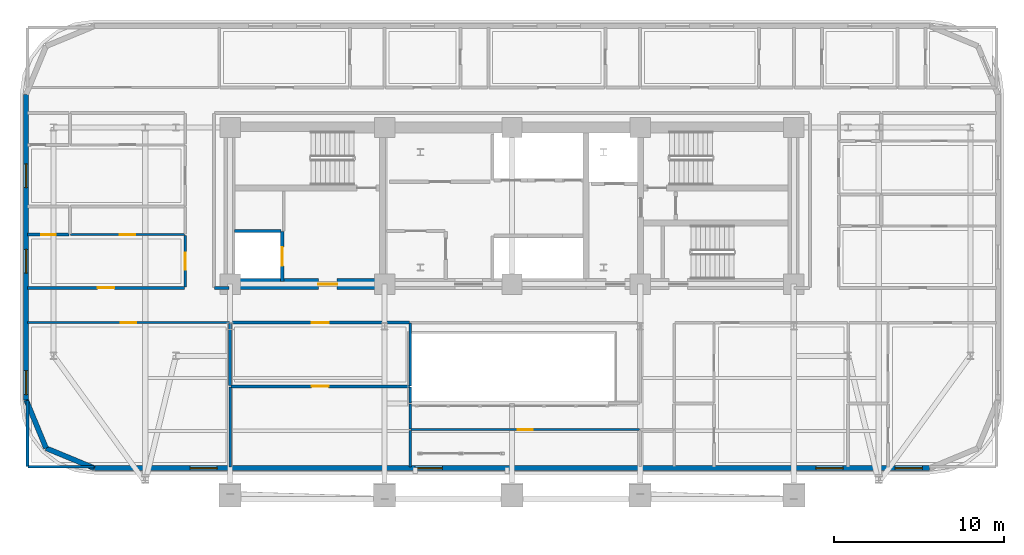
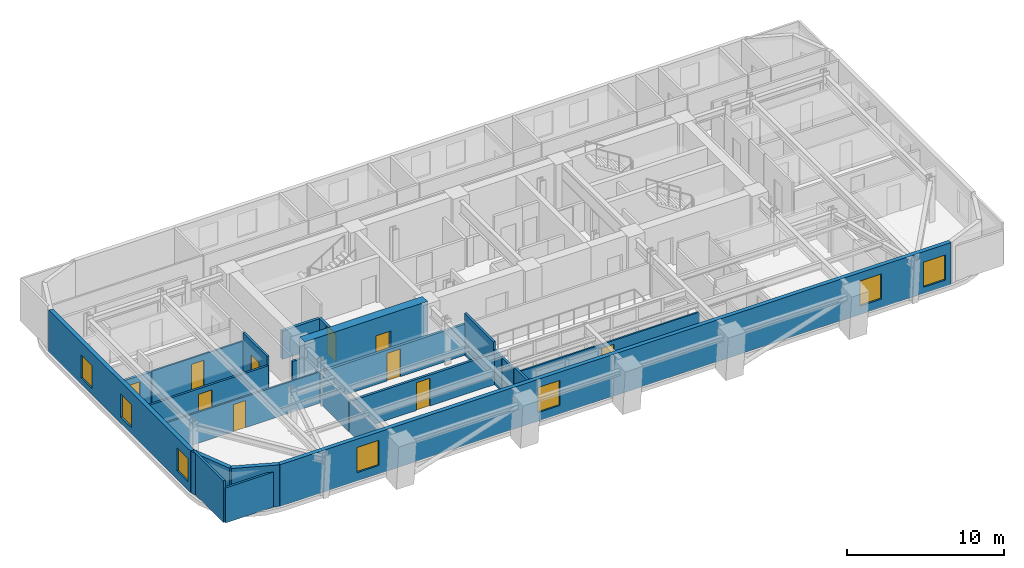
# One storey, part 8 of 16: 24 walls, 10 doors, 7 windows, 17 openings.
"""IFC4 building model written with IfcOpenShell, lengths in metres."""

import ifcopenshell
import ifcopenshell.guid

model = None  # the IFC model being written
_history = None  # IfcOwnerHistory: only IFC2X3 demands one
_inside = {}  # id of a spatial element -> (the spatial element, [elements in it])
_under = {}  # id of a project, library or spatial element -> (it, [spatial elements below it])
_declared = {}  # id of a project -> (the project, [libraries it declares])
_typed = {}  # id of a type object -> (the type object, [elements of that type])
_made_of = {}  # id of a material, layer set ... -> (it, [elements and type objects made of it])


def new_model(schema):
    """Start an empty IFC model of exactly this schema.

    Asked for "IFC4X3", IfcOpenShell would pick the latest addendum, in which some entities
    have other attributes; the version numbers below select the first issue.
    IFC2X3 requires an IfcOwnerHistory on every rooted entity: one is made here for all.
    """
    global model, _history
    if schema == "IFC4X3":
        model = ifcopenshell.file(schema_version=(4, 3, 0, 0))
    else:
        model = ifcopenshell.file(schema=schema)
    _inside.clear()
    _under.clear()
    _declared.clear()
    _typed.clear()
    _made_of.clear()
    _history = None
    if model.schema == "IFC2X3":
        org = make("IfcOrganization", Name="unknown")
        user = make(
            "IfcPersonAndOrganization",
            ThePerson=make("IfcPerson", FamilyName="unknown"),
            TheOrganization=org,
        )
        app = make(
            "IfcApplication",
            ApplicationDeveloper=org,
            Version="unknown",
            ApplicationFullName="unknown",
            ApplicationIdentifier="unknown",
        )
        _history = make(
            "IfcOwnerHistory",
            OwningUser=user,
            OwningApplication=app,
            ChangeAction="ADDED",
            CreationDate=0,
        )
    return model


def make(cls, **values):
    """One entity of the class cls with the attributes given. An attribute that is None is left unset."""
    return model.create_entity(
        cls, **{name: value for name, value in values.items() if value is not None}
    )


def rooted(cls, **values):
    """An entity with a GlobalId (a new one), such as an element, a storey or a relation."""
    return make(cls, GlobalId=ifcopenshell.guid.new(), OwnerHistory=_history, **values)


def si_unit(unit_type, name, prefix=None):
    """IfcSIUnit, for example si_unit("LENGTHUNIT", "METRE", prefix="MILLI")."""
    return make("IfcSIUnit", UnitType=unit_type, Prefix=prefix, Name=name)


def assignment(units):
    """IfcUnitAssignment: the units of a project."""
    return None if units is None else make("IfcUnitAssignment", Units=units)


def point(xyz):
    """IfcCartesianPoint."""
    return None if xyz is None else make("IfcCartesianPoint", Coordinates=xyz)


def direction(xyz):
    """IfcDirection."""
    return None if xyz is None else make("IfcDirection", DirectionRatios=xyz)


def frame(location, z_axis=None, x_axis=None):
    """IfcAxis2Placement3D, a coordinate frame: its origin and axes. An axis left out is left unset."""
    return make(
        "IfcAxis2Placement3D",
        Location=point(location),
        Axis=direction(z_axis),
        RefDirection=direction(x_axis),
    )


def frame_2d(location, x_axis=None):
    """IfcAxis2Placement2D, a coordinate frame in the plane: its origin and x axis."""
    return make(
        "IfcAxis2Placement2D", Location=point(location), RefDirection=direction(x_axis)
    )


def origin():
    """The frame at (0, 0, 0) with its axes left unset."""
    return frame((0.0, 0.0, 0.0))


def place(relative_to, where):
    """IfcLocalPlacement: puts the frame where relative to a parent placement (None: the world)."""
    return make(
        "IfcLocalPlacement", PlacementRelTo=relative_to, RelativePlacement=where
    )


def context(
    kind, dimensions, precision=None, world=None, true_north=None, identifier=None
):
    """IfcGeometricRepresentationContext, for example the 3D "Model" context."""
    return make(
        "IfcGeometricRepresentationContext",
        ContextIdentifier=identifier,
        ContextType=kind,
        CoordinateSpaceDimension=dimensions,
        Precision=precision,
        WorldCoordinateSystem=world,
        TrueNorth=true_north,
    )


def subcontext(parent, identifier, kind, view, scale=None):
    """IfcGeometricRepresentationSubContext, for example "Body" below "Model"."""
    return make(
        "IfcGeometricRepresentationSubContext",
        ContextIdentifier=identifier,
        ContextType=kind,
        ParentContext=parent,
        TargetScale=scale,
        TargetView=view,
    )


def project(units=None, contexts=None):
    """IfcProject with its units and contexts."""
    return rooted(
        "IfcProject",
        Name="project",
        RepresentationContexts=contexts,
        UnitsInContext=assignment(units),
    )


def spatial(cls, under=None, at=None, **own):
    """A site, building, storey or space (cls), placed at a placement, below another one or the project."""
    s = rooted(cls, ObjectPlacement=at, **own)
    if under is not None:
        _under.setdefault(under.id(), (under, []))[1].append(s)
    return s


def profile(cls, at=None, kind="AREA", **sizes):
    """A parametric profile (cls). Its sizes go by their IFC names, for example OverallWidth=200.0."""
    return make(cls, ProfileType=kind, Position=at, **sizes)


def rectangle(**sizes):
    """IfcRectangleProfileDef."""
    return profile("IfcRectangleProfileDef", **sizes)


def extrude(swept, where, along, depth):
    """IfcExtrudedAreaSolid: the profile swept, set in the frame where, extruded along a direction by depth."""
    return make(
        "IfcExtrudedAreaSolid",
        SweptArea=swept,
        Position=where,
        ExtrudedDirection=direction(along),
        Depth=depth,
    )


def shape(context_of_items, identifier, shape_type, items):
    """IfcShapeRepresentation: the items that make up one representation, for example the "Body"."""
    return make(
        "IfcShapeRepresentation",
        ContextOfItems=context_of_items,
        RepresentationIdentifier=identifier,
        RepresentationType=shape_type,
        Items=items,
    )


def material(Name=None, Category=None):
    """IfcMaterial."""
    return make("IfcMaterial", Name=Name, Category=Category)


def layer(
    of_material, thickness, ventilated=None, Name=None, Category=None, Priority=None
):
    """IfcMaterialLayer: one layer of a wall or slab, of a material (None: an air gap)."""
    return make(
        "IfcMaterialLayer",
        Material=of_material,
        LayerThickness=thickness,
        IsVentilated=ventilated,
        Name=Name,
        Category=Category,
        Priority=Priority,
    )


def layer_set(layers, Name=None):
    """IfcMaterialLayerSet."""
    return make("IfcMaterialLayerSet", MaterialLayers=layers, LayerSetName=Name)


def made_of(thing, what):
    """Note that an element or type object is made of a material, layer set ...; save() writes the relation."""
    if what is not None:
        _made_of.setdefault(what.id(), (what, []))[1].append(thing)
    return thing


def type_object(cls, material=None, **own):
    """A type object (cls), such as IfcWallType, which elements share."""
    return made_of(rooted(cls, **own), material)


def element(
    cls,
    number,
    at=None,
    inside=None,
    cuts=None,
    type_object=None,
    material=None,
    context=None,
    identifier="Body",
    shape_type=None,
    held_by="IfcProductDefinitionShape",
    body=None,
    shapes=None,
    **own,
):
    """One element of the class cls, such as IfcWall. Its Tag is "e" and its number.

    at: its placement. inside: the storey or other place that contains it. cuts: it is an
    opening in that element (IfcRelVoidsElement). A single representation is given by context,
    identifier, shape_type and body (its items); several are given by shapes. held_by: the class
    of the entity that holds the representations. save() writes the other relations.
    """
    e = rooted(cls, Tag="e%d" % number, ObjectPlacement=at, **own)
    if body is not None:
        shapes = [shape(context, identifier, shape_type, body)]
    if shapes is not None:
        e.Representation = make(held_by, Representations=shapes)
    if inside is not None:
        _inside.setdefault(inside.id(), (inside, []))[1].append(e)
    if cuts is not None:
        rooted(
            "IfcRelVoidsElement", RelatingBuildingElement=cuts, RelatedOpeningElement=e
        )
    if type_object is not None:
        _typed.setdefault(type_object.id(), (type_object, []))[1].append(e)
    return made_of(e, material)


def fill(opening, filler):
    """IfcRelFillsElement: the door or window that sits in an opening."""
    return rooted(
        "IfcRelFillsElement",
        RelatingOpeningElement=opening,
        RelatedBuildingElement=filler,
    )


def aggregate(whole, parts):
    """IfcRelAggregates: a whole, such as a stair, and the parts it consists of."""
    return rooted("IfcRelAggregates", RelatingObject=whole, RelatedObjects=parts)


def save(model, path):
    """Write the relations noted so far, then the file.

    IfcRelAggregates (storeys below a building ...), IfcRelContainedInSpatialStructure (elements
    in a storey), IfcRelDefinesByType, IfcRelAssociatesMaterial and IfcRelDeclares: one each for
    every whole, place, type object, material and project.
    """
    for whole, parts in _under.values():
        aggregate(whole, parts)
    for where, things in _inside.values():
        rooted(
            "IfcRelContainedInSpatialStructure",
            RelatedElements=things,
            RelatingStructure=where,
        )
    for kind, things in _typed.values():
        rooted("IfcRelDefinesByType", RelatedObjects=things, RelatingType=kind)
    for what, things in _made_of.values():
        rooted("IfcRelAssociatesMaterial", RelatedObjects=things, RelatingMaterial=what)
    for by, libraries in _declared.values():
        rooted("IfcRelDeclares", RelatingContext=by, RelatedDefinitions=libraries)
    model.write(path)


model = new_model("IFC4")

# Units and contexts
model_context = context("Model", 3, precision=1e-05, world=origin(), true_north=direction((0.0, 1.0)))
body_context = subcontext(model_context, "Body", "Model", "MODEL_VIEW")
ifc_project = project(units=[si_unit("LENGTHUNIT", "METRE"), si_unit("AREAUNIT", "SQUARE_METRE"), si_unit("VOLUMEUNIT", "CUBIC_METRE"), si_unit("PLANEANGLEUNIT", "RADIAN"), si_unit("MASSUNIT", "GRAM", prefix="KILO")], contexts=[model_context])

# Site, building, storey
site_placement = place(None, origin())
site = spatial("IfcSite", under=ifc_project, at=site_placement, CompositionType="ELEMENT")
building_placement = place(site_placement, origin())
building = spatial("IfcBuilding", under=site, at=building_placement, Name="Zarnavel Station Tower", CompositionType="ELEMENT")
storey_placement = place(building_placement, frame((0.0, 0.0, 118.800048828125)))
storey = spatial("IfcBuildingStorey", under=building, at=storey_placement, Name="L32", CompositionType="ELEMENT", Elevation=118.800048828125)

# Wall, opening, door
ifc_material_1 = material(Name="Concrete C60/75", Category="concrete")
ifc_layer_1 = layer(ifc_material_1, 0.64990234375)
ifc_layer_set_1 = layer_set([ifc_layer_1], Name="CW_650")
wall_type_1 = type_object("IfcWallType", Name="CW_650", PredefinedType="SHEAR", material=ifc_layer_set_1)
wall_1_placement = place(storey_placement, frame((21.179931640625, 27.820068359375, 0.0), z_axis=(0.0, 0.0, 1.0), x_axis=(-1.0, 0.0, 0.0)))
wall_1 = element("IfcWall", 1, at=wall_1_placement, inside=storey, type_object=wall_type_1, Name="L32 Rear Core Shear Wall S-W", PredefinedType="SHEAR", context=body_context, shape_type="SweptSolid", body=[
    extrude(rectangle(XDim=9.030029296875, YDim=0.64990234375, at=frame_2d((4.51513671875, 0.0))), origin(), (0.0, 0.0, 1.0), 3.5),
])
opening_1_placement = place(wall_1_placement, frame((2.679931640625, 0.0, 0.0)))
opening_1 = element("IfcOpeningElement", 2, at=opening_1_placement, cuts=wall_1, Name="Opening FD01", PredefinedType="OPENING", context=body_context, shape_type="SweptSolid", body=[
    extrude(rectangle(XDim=1.10009765625, YDim=2.14990234375, at=frame_2d((0.550048828125, 1.074951171875))), frame((0.0, 0.3349609375, 0.0), z_axis=(0.0, -1.0, 0.0), x_axis=(1.0, 0.0, 0.0)), (0.0, 0.0, 1.0), 0.669921875),
])
ifc_material_2 = material(Name="Painted Galvanised Steel and Hardwood Leaf", Category="steel")
door_type_1 = type_object("IfcDoorType", Name="ID_STAIR_1100", OperationType="NOTDEFINED", PredefinedType="DOOR", material=ifc_material_2)
door_1_placement = place(opening_1_placement, origin())
door_1 = element("IfcDoor", 3, at=door_1_placement, inside=storey, type_object=door_type_1, Name="L32 West Firefighting Lobby Door", OperationType="SINGLE_SWING_RIGHT", OverallHeight=2.14990234375, OverallWidth=1.10009765625, PredefinedType="DOOR", context=body_context, shape_type="SweptSolid", body=[
    extrude(rectangle(XDim=1.10009765625, YDim=2.14990234375, at=frame_2d((0.550048828125, 1.074951171875))), frame((0.0, 0.02490234375, 0.0), z_axis=(0.0, -1.0, 0.0), x_axis=(1.0, 0.0, 0.0)), (0.0, 0.0, 1.0), 0.050048828125),
])
fill(opening_1, door_1)

# Wall, openings, windows
ifc_material_3 = material(Name="Precast concrete C45/55 (Dark Basalt Finish)", Category="masonry")
ifc_layer_2 = layer(ifc_material_3, 0.300048828125)
ifc_layer_set_2 = layer_set([ifc_layer_2], Name="EW_BASALT_300")
wall_type_2 = type_object("IfcWallType", Name="EW_BASALT_300", PredefinedType="SOLIDWALL", material=ifc_layer_set_2)
wall_2_placement = place(storey_placement, frame((0.179931640625, 21.0, 0.0), z_axis=(0.0, 0.0, 1.0), x_axis=(0.0, 1.0, 0.0)))
wall_2 = element("IfcWall", 4, at=wall_2_placement, inside=storey, type_object=wall_type_2, Name="L32 Exterior Basalt Masonry Frame Wall 09", PredefinedType="SOLIDWALL", context=body_context, shape_type="SweptSolid", body=[
    extrude(rectangle(XDim=18.0, YDim=0.300048828125, at=frame_2d((9.0, 0.0))), origin(), (0.0, 0.0, 1.0), 3.239990234375),
])
opening_2_placement = place(wall_2_placement, frame((7.470458984375, 0.0, 0.47998046875)))
opening_2 = element("IfcOpeningElement", 5, at=opening_2_placement, cuts=wall_2, Name="Opening WN01", PredefinedType="OPENING", context=body_context, shape_type="SweptSolid", body=[
    extrude(rectangle(XDim=1.39990234375, YDim=1.800048828125, at=frame_2d((0.699951171875, 0.89990234375))), frame((0.0, 0.159912109375, 0.0), z_axis=(0.0, -1.0, 0.0), x_axis=(1.0, 0.0, 0.0)), (0.0, 0.0, 1.0), 0.320068359375),
])
opening_3_placement = place(wall_2_placement, frame((12.509033203125, 0.0, 0.47998046875)))
opening_3 = element("IfcOpeningElement", 6, at=opening_3_placement, cuts=wall_2, Name="Opening WN01", PredefinedType="OPENING", context=body_context, shape_type="SweptSolid", body=[
    extrude(rectangle(XDim=1.39990234375, YDim=1.800048828125, at=frame_2d((0.699951171875, 0.89990234375))), frame((0.0, 0.159912109375, 0.0), z_axis=(0.0, -1.0, 0.0), x_axis=(1.0, 0.0, 0.0)), (0.0, 0.0, 1.0), 0.320068359375),
])
opening_4_placement = place(wall_2_placement, frame((0.320068359375, 0.0, 0.64990234375)))
opening_4 = element("IfcOpeningElement", 7, at=opening_4_placement, cuts=wall_2, Name="Opening WN01", PredefinedType="OPENING", context=body_context, shape_type="SweptSolid", body=[
    extrude(rectangle(XDim=1.39990234375, YDim=1.800048828125, at=frame_2d((0.699951171875, 0.89990234375))), frame((0.0, 0.159912109375, 0.0), z_axis=(0.0, -1.0, 0.0), x_axis=(1.0, 0.0, 0.0)), (0.0, 0.0, 1.0), 0.320068359375),
])
ifc_material_4 = material(Name="Thermally Broken Black Aluminium and Low-E Dark Glass", Category="aluminium")
window_type_1 = type_object("IfcWindowType", Name="WN_1400x1800", PartitioningType="DOUBLE_PANEL_VERTICAL", PredefinedType="WINDOW", material=ifc_material_4)
window_1_placement = place(opening_2_placement, origin())
window_1 = element("IfcWindow", 8, at=window_1_placement, inside=storey, type_object=window_type_1, Name="L32 Recessed Facade Window 01", OverallHeight=1.800048828125, OverallWidth=1.39990234375, PartitioningType="SINGLE_PANEL", PredefinedType="WINDOW", context=body_context, shape_type="SweptSolid", body=[
    extrude(rectangle(XDim=1.39990234375, YDim=1.800048828125, at=frame_2d((0.699951171875, 0.89990234375))), frame((0.0, 0.030029296875, 0.0), z_axis=(0.0, -1.0, 0.0), x_axis=(1.0, 0.0, 0.0)), (0.0, 0.0, 1.0), 0.06005859375),
])
fill(opening_2, window_1)
window_2_placement = place(opening_3_placement, origin())
window_2 = element("IfcWindow", 9, at=window_2_placement, inside=storey, type_object=window_type_1, Name="L32 Recessed Facade Window 02", OverallHeight=1.800048828125, OverallWidth=1.39990234375, PartitioningType="SINGLE_PANEL", PredefinedType="WINDOW", context=body_context, shape_type="SweptSolid", body=[
    extrude(rectangle(XDim=1.39990234375, YDim=1.800048828125, at=frame_2d((0.699951171875, 0.89990234375))), frame((0.0, 0.030029296875, 0.0), z_axis=(0.0, -1.0, 0.0), x_axis=(1.0, 0.0, 0.0)), (0.0, 0.0, 1.0), 0.06005859375),
])
fill(opening_3, window_2)
window_3_placement = place(opening_4_placement, origin())
window_3 = element("IfcWindow", 10, at=window_3_placement, inside=storey, type_object=window_type_1, Name="L32 Recessed Facade Window 03", OverallHeight=1.800048828125, OverallWidth=1.39990234375, PartitioningType="SINGLE_PANEL", PredefinedType="WINDOW", context=body_context, shape_type="SweptSolid", body=[
    extrude(rectangle(XDim=1.39990234375, YDim=1.800048828125, at=frame_2d((0.699951171875, 0.89990234375))), frame((0.0, 0.030029296875, 0.0), z_axis=(0.0, -1.0, 0.0), x_axis=(1.0, 0.0, 0.0)), (0.0, 0.0, 1.0), 0.06005859375),
])
fill(opening_4, window_3)

# Walls
for number, where, z_axis, x_axis, name in (
    (11, (1.357421875, 18.157470703125, 0.0), (0.0, 0.0, 1.0), (-0.382704529509, 0.923870793506, 0.0), "L32 Exterior Basalt Masonry Frame Wall 10"),
    (12, (4.199951171875, 16.97998046875, 0.0), (0.0, 0.0, 1.0), (-0.923870793506, 0.382704529509, 0.0), "L32 Exterior Basalt Masonry Frame Wall 11"),
):
    element("IfcWall", number, at=place(storey_placement, frame(where, z_axis=z_axis, x_axis=x_axis)), inside=storey, type_object=wall_type_2, Name=name, PredefinedType="SOLIDWALL", context=body_context, shape_type="SweptSolid", body=[
        extrude(rectangle(XDim=3.07666015625, YDim=0.300048828125, at=frame_2d((1.538330078125, 0.0))), origin(), (0.0, 0.0, 1.0), 3.239990234375),
    ])

# Wall, openings, windows
wall_3_placement = place(storey_placement, frame((53.39990234375, 16.97998046875, 0.0), z_axis=(0.0, 0.0, 1.0), x_axis=(-1.0, 0.0, 0.0)))
wall_3 = element("IfcWall", 13, at=wall_3_placement, inside=storey, type_object=wall_type_2, Name="L32 Exterior Basalt Masonry Frame Wall 12", PredefinedType="SOLIDWALL", context=body_context, shape_type="SweptSolid", body=[
    extrude(rectangle(XDim=49.199951171875, YDim=0.300048828125, at=frame_2d((24.60009765625, 0.0))), origin(), (0.0, 0.0, 1.0), 3.239990234375),
])
opening_5_placement = place(wall_3_placement, frame((41.96240234375, 0.0, 0.64990234375)))
opening_5 = element("IfcOpeningElement", 14, at=opening_5_placement, cuts=wall_3, Name="Opening WN06", PredefinedType="OPENING", context=body_context, shape_type="SweptSolid", body=[
    extrude(rectangle(XDim=1.60009765625, YDim=1.949951171875, at=frame_2d((0.800048828125, 0.97509765625))), frame((0.0, 0.159912109375, 0.0), z_axis=(0.0, -1.0, 0.0), x_axis=(1.0, 0.0, 0.0)), (0.0, 0.0, 1.0), 0.320068359375),
])
opening_6_placement = place(wall_3_placement, frame((28.699951171875, 0.0, 0.64990234375)))
opening_6 = element("IfcOpeningElement", 15, at=opening_6_placement, cuts=wall_3, Name="Opening WN06", PredefinedType="OPENING", context=body_context, shape_type="SweptSolid", body=[
    extrude(rectangle(XDim=1.60009765625, YDim=1.949951171875, at=frame_2d((0.800048828125, 0.97509765625))), frame((0.0, 0.159912109375, 0.0), z_axis=(0.0, -1.0, 0.0), x_axis=(1.0, 0.0, 0.0)), (0.0, 0.0, 1.0), 0.320068359375),
])
opening_7_placement = place(wall_3_placement, frame((5.10009765625, 0.0, 0.64990234375)))
opening_7 = element("IfcOpeningElement", 16, at=opening_7_placement, cuts=wall_3, Name="Opening WN06", PredefinedType="OPENING", context=body_context, shape_type="SweptSolid", body=[
    extrude(rectangle(XDim=1.60009765625, YDim=1.949951171875, at=frame_2d((0.800048828125, 0.97509765625))), frame((0.0, 0.159912109375, 0.0), z_axis=(0.0, -1.0, 0.0), x_axis=(1.0, 0.0, 0.0)), (0.0, 0.0, 1.0), 0.320068359375),
])
opening_8_placement = place(wall_3_placement, frame((0.43505859375, 0.0, 0.47998046875)))
opening_8 = element("IfcOpeningElement", 17, at=opening_8_placement, cuts=wall_3, Name="Opening WN06", PredefinedType="OPENING", context=body_context, shape_type="SweptSolid", body=[
    extrude(rectangle(XDim=1.60009765625, YDim=1.949951171875, at=frame_2d((0.800048828125, 0.97509765625))), frame((0.0, 0.159912109375, 0.0), z_axis=(0.0, -1.0, 0.0), x_axis=(1.0, 0.0, 0.0)), (0.0, 0.0, 1.0), 0.320068359375),
])
ifc_material_5 = material(Name="Thermally Broken Black Aluminium and Low-E Dark Glass", Category="aluminium")
window_type_2 = type_object("IfcWindowType", Name="WN_1600x1950", PartitioningType="DOUBLE_PANEL_VERTICAL", PredefinedType="WINDOW", material=ifc_material_5)
window_4_placement = place(opening_5_placement, origin())
window_4 = element("IfcWindow", 18, at=window_4_placement, inside=storey, type_object=window_type_2, Name="L32 Recessed Facade Window 01", OverallHeight=1.949951171875, OverallWidth=1.60009765625, PartitioningType="SINGLE_PANEL", PredefinedType="WINDOW", context=body_context, shape_type="SweptSolid", body=[
    extrude(rectangle(XDim=1.60009765625, YDim=1.949951171875, at=frame_2d((0.800048828125, 0.97509765625))), frame((0.0, 0.030029296875, 0.0), z_axis=(0.0, -1.0, 0.0), x_axis=(1.0, 0.0, 0.0)), (0.0, 0.0, 1.0), 0.06005859375),
])
fill(opening_5, window_4)
window_5_placement = place(opening_6_placement, origin())
window_5 = element("IfcWindow", 19, at=window_5_placement, inside=storey, type_object=window_type_2, Name="L32 Recessed Facade Window 02", OverallHeight=1.949951171875, OverallWidth=1.60009765625, PartitioningType="SINGLE_PANEL", PredefinedType="WINDOW", context=body_context, shape_type="SweptSolid", body=[
    extrude(rectangle(XDim=1.60009765625, YDim=1.949951171875, at=frame_2d((0.800048828125, 0.97509765625))), frame((0.0, 0.030029296875, 0.0), z_axis=(0.0, -1.0, 0.0), x_axis=(1.0, 0.0, 0.0)), (0.0, 0.0, 1.0), 0.06005859375),
])
fill(opening_6, window_5)
window_6_placement = place(opening_7_placement, origin())
window_6 = element("IfcWindow", 20, at=window_6_placement, inside=storey, type_object=window_type_2, Name="L32 Recessed Facade Window 03", OverallHeight=1.949951171875, OverallWidth=1.60009765625, PartitioningType="SINGLE_PANEL", PredefinedType="WINDOW", context=body_context, shape_type="SweptSolid", body=[
    extrude(rectangle(XDim=1.60009765625, YDim=1.949951171875, at=frame_2d((0.800048828125, 0.97509765625))), frame((0.0, 0.030029296875, 0.0), z_axis=(0.0, -1.0, 0.0), x_axis=(1.0, 0.0, 0.0)), (0.0, 0.0, 1.0), 0.06005859375),
])
fill(opening_7, window_6)
window_7_placement = place(opening_8_placement, origin())
window_7 = element("IfcWindow", 21, at=window_7_placement, inside=storey, type_object=window_type_2, Name="L32 Recessed Facade Window 04", OverallHeight=1.949951171875, OverallWidth=1.60009765625, PartitioningType="SINGLE_PANEL", PredefinedType="WINDOW", context=body_context, shape_type="SweptSolid", body=[
    extrude(rectangle(XDim=1.60009765625, YDim=1.949951171875, at=frame_2d((0.800048828125, 0.97509765625))), frame((0.0, 0.030029296875, 0.0), z_axis=(0.0, -1.0, 0.0), x_axis=(1.0, 0.0, 0.0)), (0.0, 0.0, 1.0), 0.06005859375),
])
fill(opening_8, window_7)

# Wall, opening, door
ifc_material_6 = material(Name="Gypsum Twin-Stud Acoustic Fire Partition", Category="concrete")
ifc_layer_3 = layer(ifc_material_6, 0.159912109375)
ifc_layer_set_3 = layer_set([ifc_layer_3], Name="PT_DEMISE_160")
wall_type_3 = type_object("IfcWallType", Name="PT_DEMISE_160", PredefinedType="PARTITIONING", material=ifc_layer_set_3)
wall_4_placement = place(storey_placement, frame((0.260009765625, 27.60009765625, 0.0), z_axis=(0.0, 0.0, 1.0), x_axis=(1.0, 0.0, 0.0)))
wall_4 = element("IfcWall", 22, at=wall_4_placement, inside=storey, type_object=wall_type_3, Name="L32 Partition COR-S-FNW1R", PredefinedType="PARTITIONING", context=body_context, shape_type="SweptSolid", body=[
    extrude(rectangle(XDim=9.25, YDim=0.159912109375, at=frame_2d((4.625, 0.0))), origin(), (0.0, 0.0, 1.0), 2.570068359375),
])
opening_9_placement = place(wall_4_placement, frame((4.125, 0.0, 0.0)))
opening_9 = element("IfcOpeningElement", 23, at=opening_9_placement, cuts=wall_4, Name="Opening FD02", PredefinedType="OPENING", context=body_context, shape_type="SweptSolid", body=[
    extrude(rectangle(XDim=1.0, YDim=2.14990234375, at=frame_2d((0.5, 1.074951171875))), frame((0.0, 0.08984375, 0.0), z_axis=(0.0, -1.0, 0.0), x_axis=(1.0, 0.0, 0.0)), (0.0, 0.0, 1.0), 0.179931640625),
])
ifc_material_7 = material(Name="Painted Galvanised Steel and Hardwood Leaf", Category="steel")
door_type_2 = type_object("IfcDoorType", Name="ID_ENTRY_1000", OperationType="NOTDEFINED", PredefinedType="DOOR", material=ifc_material_7)
door_2_placement = place(opening_9_placement, origin())
door_2 = element("IfcDoor", 24, at=door_2_placement, inside=storey, type_object=door_type_2, Name="L32 Door COR-S-FNW1R", OperationType="SINGLE_SWING_LEFT", OverallHeight=2.14990234375, OverallWidth=1.0, PredefinedType="DOOR", context=body_context, shape_type="SweptSolid", body=[
    extrude(rectangle(XDim=1.0, YDim=2.14990234375, at=frame_2d((0.5, 1.074951171875))), frame((0.0, 0.02490234375, 0.0), z_axis=(0.0, -1.0, 0.0), x_axis=(1.0, 0.0, 0.0)), (0.0, 0.0, 1.0), 0.050048828125),
])
fill(opening_9, door_2)

wall_5_placement = place(storey_placement, frame((9.550048828125, 27.639892578125, 0.0), z_axis=(0.0, 0.0, 1.0), x_axis=(0.0, 1.0, 0.0)))
wall_5 = element("IfcWall", 25, at=wall_5_placement, inside=storey, type_object=wall_type_3, Name="L32 Partition COR-W-FNW1R", PredefinedType="PARTITIONING", context=body_context, shape_type="SweptSolid", body=[
    extrude(rectangle(XDim=3.06103515625, YDim=0.159912109375, at=frame_2d((1.530517578125, 0.0))), origin(), (0.0, 0.0, 1.0), 3.239990234375),
])
opening_10_placement = place(wall_5_placement, frame((1.030517578125, 0.0, 0.0)))
opening_10 = element("IfcOpeningElement", 26, at=opening_10_placement, cuts=wall_5, Name="Opening FD02", PredefinedType="OPENING", context=body_context, shape_type="SweptSolid", body=[
    extrude(rectangle(XDim=1.0, YDim=2.14990234375, at=frame_2d((0.5, 1.074951171875))), frame((0.0, 0.08984375, 0.0), z_axis=(0.0, -1.0, 0.0), x_axis=(1.0, 0.0, 0.0)), (0.0, 0.0, 1.0), 0.179931640625),
])
door_3_placement = place(opening_10_placement, origin())
door_3 = element("IfcDoor", 27, at=door_3_placement, inside=storey, type_object=door_type_2, Name="L32 Door COR-W-FNW1R", OperationType="SINGLE_SWING_LEFT", OverallHeight=2.14990234375, OverallWidth=1.0, PredefinedType="DOOR", context=body_context, shape_type="SweptSolid", body=[
    extrude(rectangle(XDim=1.0, YDim=2.14990234375, at=frame_2d((0.5, 1.074951171875))), frame((0.0, 0.02490234375, 0.0), z_axis=(0.0, -1.0, 0.0), x_axis=(1.0, 0.0, 0.0)), (0.0, 0.0, 1.0), 0.050048828125),
])
fill(opening_10, door_3)

# Walls
wall_6_placement = place(storey_placement, frame((22.800048828125, 19.2900390625, 0.0), z_axis=(0.0, 0.0, 1.0), x_axis=(0.0, 1.0, 0.0)))
element("IfcWall", 28, at=wall_6_placement, inside=storey, type_object=wall_type_3, Name="L32 Partition COR-AS-Z2STR", PredefinedType="PARTITIONING", context=body_context, shape_type="SweptSolid", body=[
    extrude(rectangle(XDim=1.469970703125, YDim=0.159912109375, at=frame_2d((0.73486328125, 0.0))), origin(), (0.0, 0.0, 1.0), 2.679931640625),
])
wall_7_placement = place(storey_placement, frame((12.199951171875, 17.06005859375, 0.0), z_axis=(0.0, 0.0, 1.0), x_axis=(0.0, 1.0, 0.0)))
element("IfcWall", 29, at=wall_7_placement, inside=storey, type_object=wall_type_3, Name="L32 Partition Z2CLB-Z2STR", PredefinedType="PARTITIONING", context=body_context, shape_type="SweptSolid", body=[
    extrude(rectangle(XDim=4.699951171875, YDim=0.159912109375, at=frame_2d((2.35009765625, 0.0))), origin(), (0.0, 0.0, 1.0), 2.406005859375),
])
wall_8_placement = place(storey_placement, frame((22.800048828125, 17.06005859375, 0.0), z_axis=(0.0, 0.0, 1.0), x_axis=(0.0, 1.0, 0.0)))
element("IfcWall", 30, at=wall_8_placement, inside=storey, type_object=wall_type_3, Name="L32 Partition Z2STR-Z2LIB", PredefinedType="PARTITIONING", context=body_context, shape_type="SweptSolid", body=[
    extrude(rectangle(XDim=2.14990234375, YDim=0.159912109375, at=frame_2d((1.074951171875, 0.0))), origin(), (0.0, 0.0, 1.0), 2.85986328125),
])
wall_9_placement = place(storey_placement, frame((11.280029296875, 27.60009765625, 0.0), z_axis=(0.0, 0.0, 1.0), x_axis=(1.0, 0.0, 0.0)))
element("IfcWall", 31, at=wall_9_placement, inside=storey, type_object=wall_type_3, Name="L32 Enclosure Wall COR-S", PredefinedType="PARTITIONING", context=body_context, shape_type="SweptSolid", body=[
    extrude(rectangle(XDim=0.840087890625, YDim=0.159912109375, at=frame_2d((0.419921875, 0.0))), origin(), (0.0, 0.0, 1.0), 2.280029296875),
])
wall_10_placement = place(storey_placement, frame((0.2900390625, 17.06005859375, 0.0), z_axis=(0.0, 0.0, 1.0), x_axis=(1.0, 0.0, 0.0)))
element("IfcWall", 32, at=wall_10_placement, inside=storey, type_object=wall_type_3, Name="L32 Enclosure Wall Z2CLB", PredefinedType="PARTITIONING", context=body_context, shape_type="SweptSolid", body=[
    extrude(rectangle(XDim=3.8798828125, YDim=0.159912109375, at=frame_2d((1.93994140625, 0.0))), origin(), (0.0, 0.0, 1.0), 2.719970703125),
])
wall_11_placement = place(storey_placement, frame((0.260009765625, 17.090087890625, 0.0), z_axis=(0.0, 0.0, 1.0), x_axis=(0.0, 1.0, 0.0)))
element("IfcWall", 33, at=wall_11_placement, inside=storey, type_object=wall_type_3, Name="L32 Enclosure Wall Z2CLB", PredefinedType="PARTITIONING", context=body_context, shape_type="SweptSolid", body=[
    extrude(rectangle(XDim=3.8798828125, YDim=0.159912109375, at=frame_2d((1.93994140625, 0.0))), origin(), (0.0, 0.0, 1.0), 3.239990234375),
])
wall_12_placement = place(storey_placement, frame((22.800048828125, 21.830078125, 0.0), z_axis=(0.0, 0.0, 1.0), x_axis=(0.0, 1.0, 0.0)))
element("IfcWall", 34, at=wall_12_placement, inside=storey, type_object=wall_type_3, Name="L32 Enclosure Wall Z2KIT", PredefinedType="PARTITIONING", context=body_context, shape_type="SweptSolid", body=[
    extrude(rectangle(XDim=3.68994140625, YDim=0.159912109375, at=frame_2d((1.844970703125, 0.0))), origin(), (0.0, 0.0, 1.0), 3.239990234375),
])
wall_13_placement = place(storey_placement, frame((22.800048828125, 20.830078125, 0.0), z_axis=(0.0, 0.0, 1.0), x_axis=(0.0, 1.0, 0.0)))
element("IfcWall", 35, at=wall_13_placement, inside=storey, type_object=wall_type_3, Name="L32 Enclosure Wall Z2STR", PredefinedType="PARTITIONING", context=body_context, shape_type="SweptSolid", body=[
    extrude(rectangle(XDim=0.93994140625, YDim=0.159912109375, at=frame_2d((0.469970703125, 0.0))), origin(), (0.0, 0.0, 1.0), 2.679931640625),
])

# Wall, opening, door
ifc_material_8 = material(Name="Gypsum Metal-Stud Interior Partition", Category="concrete")
ifc_layer_4 = layer(ifc_material_8, 0.1201171875)
ifc_layer_set_4 = layer_set([ifc_layer_4], Name="PT_ROOM_120")
wall_type_4 = type_object("IfcWallType", Name="PT_ROOM_120", PredefinedType="PARTITIONING", material=ifc_layer_set_4)
wall_14_placement = place(storey_placement, frame((0.260009765625, 25.550048828125, 0.0), z_axis=(0.0, 0.0, 1.0), x_axis=(1.0, 0.0, 0.0)))
wall_14 = element("IfcWall", 36, at=wall_14_placement, inside=storey, type_object=wall_type_4, Name="L32 Partition COR-S-Z2CLB", PredefinedType="PARTITIONING", context=body_context, shape_type="SweptSolid", body=[
    extrude(rectangle(XDim=11.89990234375, YDim=0.1201171875, at=frame_2d((5.949951171875, 0.0))), origin(), (0.0, 0.0, 1.0), 2.406005859375),
])
opening_11_placement = place(wall_14_placement, frame((5.5, 0.0, 0.0)))
opening_11 = element("IfcOpeningElement", 37, at=opening_11_placement, cuts=wall_14, Name="Opening ID01", PredefinedType="OPENING", context=body_context, shape_type="SweptSolid", body=[
    extrude(rectangle(XDim=0.89990234375, YDim=2.10009765625, at=frame_2d((0.449951171875, 1.050048828125))), frame((0.0, 0.070068359375, 0.0), z_axis=(0.0, -1.0, 0.0), x_axis=(1.0, 0.0, 0.0)), (0.0, 0.0, 1.0), 0.14013671875),
])
ifc_material_9 = material(Name="Painted Galvanised Steel and Hardwood Leaf", Category="steel")
door_type_3 = type_object("IfcDoorType", Name="ID_ROOM_900", OperationType="NOTDEFINED", PredefinedType="DOOR", material=ifc_material_9)
door_4_placement = place(opening_11_placement, origin())
door_4 = element("IfcDoor", 38, at=door_4_placement, inside=storey, type_object=door_type_3, Name="L32 Door COR-S-Z2CLB", OperationType="SINGLE_SWING_LEFT", OverallHeight=2.10009765625, OverallWidth=0.89990234375, PredefinedType="DOOR", context=body_context, shape_type="SweptSolid", body=[
    extrude(rectangle(XDim=0.89990234375, YDim=2.10009765625, at=frame_2d((0.449951171875, 1.050048828125))), frame((0.0, 0.02490234375, 0.0), z_axis=(0.0, -1.0, 0.0), x_axis=(1.0, 0.0, 0.0)), (0.0, 0.0, 1.0), 0.050048828125),
])
fill(opening_11, door_4)

wall_15_placement = place(storey_placement, frame((22.840087890625, 19.25, 0.0), z_axis=(0.0, 0.0, 1.0), x_axis=(1.0, 0.0, 0.0)))
wall_15 = element("IfcWall", 39, at=wall_15_placement, inside=storey, type_object=wall_type_4, Name="L32 Partition COR-AS-Z2LIB", PredefinedType="PARTITIONING", context=body_context, shape_type="SweptSolid", body=[
    extrude(rectangle(XDim=13.469970703125, YDim=0.1201171875, at=frame_2d((6.73486328125, 0.0))), origin(), (0.0, 0.0, 1.0), 2.406005859375),
])
opening_12_placement = place(wall_15_placement, frame((6.284912109375, 0.0, 0.0)))
opening_12 = element("IfcOpeningElement", 40, at=opening_12_placement, cuts=wall_15, Name="Opening ID01", PredefinedType="OPENING", context=body_context, shape_type="SweptSolid", body=[
    extrude(rectangle(XDim=0.89990234375, YDim=2.10009765625, at=frame_2d((0.449951171875, 1.050048828125))), frame((0.0, 0.070068359375, 0.0), z_axis=(0.0, -1.0, 0.0), x_axis=(1.0, 0.0, 0.0)), (0.0, 0.0, 1.0), 0.14013671875),
])
door_5_placement = place(opening_12_placement, origin())
door_5 = element("IfcDoor", 41, at=door_5_placement, inside=storey, type_object=door_type_3, Name="L32 Door COR-AS-Z2LIB", OperationType="SINGLE_SWING_RIGHT", OverallHeight=2.10009765625, OverallWidth=0.89990234375, PredefinedType="DOOR", context=body_context, shape_type="SweptSolid", body=[
    extrude(rectangle(XDim=0.89990234375, YDim=2.10009765625, at=frame_2d((0.449951171875, 1.050048828125))), frame((0.0, 0.02490234375, 0.0), z_axis=(0.0, -1.0, 0.0), x_axis=(1.0, 0.0, 0.0)), (0.0, 0.0, 1.0), 0.050048828125),
])
fill(opening_12, door_5)

wall_16_placement = place(storey_placement, frame((2.800048828125, 30.740966796875, 0.0), z_axis=(0.0, 0.0, 1.0), x_axis=(1.0, 0.0, 0.0)))
wall_16 = element("IfcWall", 42, at=wall_16_placement, inside=storey, type_object=wall_type_4, Name="L32 Partition FNW1R-FNW1S", PredefinedType="PARTITIONING", context=body_context, shape_type="SweptSolid", body=[
    extrude(rectangle(XDim=6.7099609375, YDim=0.1201171875, at=frame_2d((3.35498046875, 0.0))), origin(), (0.0, 0.0, 1.0), 2.570068359375),
])
opening_13_placement = place(wall_16_placement, frame((2.905029296875, 0.0, 0.0)))
opening_13 = element("IfcOpeningElement", 43, at=opening_13_placement, cuts=wall_16, Name="Opening ID01", PredefinedType="OPENING", context=body_context, shape_type="SweptSolid", body=[
    extrude(rectangle(XDim=0.89990234375, YDim=2.10009765625, at=frame_2d((0.449951171875, 1.050048828125))), frame((0.0, 0.070068359375, 0.0), z_axis=(0.0, -1.0, 0.0), x_axis=(1.0, 0.0, 0.0)), (0.0, 0.0, 1.0), 0.14013671875),
])
door_6_placement = place(opening_13_placement, origin())
door_6 = element("IfcDoor", 44, at=door_6_placement, inside=storey, type_object=door_type_3, Name="L32 Door FNW1R-FNW1S", OperationType="SINGLE_SWING_RIGHT", OverallHeight=2.10009765625, OverallWidth=0.89990234375, PredefinedType="DOOR", context=body_context, shape_type="SweptSolid", body=[
    extrude(rectangle(XDim=0.89990234375, YDim=2.10009765625, at=frame_2d((0.449951171875, 1.050048828125))), frame((0.0, 0.02490234375, 0.0), z_axis=(0.0, -1.0, 0.0), x_axis=(1.0, 0.0, 0.0)), (0.0, 0.0, 1.0), 0.050048828125),
])
fill(opening_13, door_6)

ifc_material_10 = material(Name="Precast concrete C45/55 (Fire Shaft Blockwork)", Category="masonry")
ifc_layer_5 = layer(ifc_material_10, 0.199951171875)
ifc_layer_set_5 = layer_set([ifc_layer_5], Name="PT_SHAFT_200")
wall_type_5 = type_object("IfcWallType", Name="PT_SHAFT_200", PredefinedType="PARTITIONING", material=ifc_layer_set_5)
wall_17_placement = place(storey_placement, frame((15.27001953125, 27.969970703125, 0.0), z_axis=(0.0, 0.0, 1.0), x_axis=(0.0, 1.0, 0.0)))
wall_17 = element("IfcWall", 45, at=wall_17_placement, inside=storey, type_object=wall_type_5, Name="L32 Lift FFL-01 Shaft Front Wall", PredefinedType="PARTITIONING", context=body_context, shape_type="SweptSolid", body=[
    extrude(rectangle(XDim=2.9599609375, YDim=0.199951171875, at=frame_2d((1.47998046875, 0.0))), origin(), (0.0, 0.0, 1.0), 2.2119140625),
])
opening_14_placement = place(wall_17_placement, frame((0.929931640625, 0.0, 0.0)))
opening_14 = element("IfcOpeningElement", 46, at=opening_14_placement, cuts=wall_17, Name="Opening LD01", PredefinedType="OPENING", context=body_context, shape_type="SweptSolid", body=[
    extrude(rectangle(XDim=1.10009765625, YDim=2.14990234375, at=frame_2d((0.550048828125, 1.074951171875))), frame((0.0, 0.10986328125, 0.0), z_axis=(0.0, -1.0, 0.0), x_axis=(1.0, 0.0, 0.0)), (0.0, 0.0, 1.0), 0.219970703125),
])
ifc_material_11 = material(Name="Painted Galvanised Steel and Hardwood Leaf", Category="steel")
door_type_4 = type_object("IfcDoorType", Name="LD_FF_1100", OperationType="DOUBLE_DOOR_SLIDING", PredefinedType="DOOR", material=ifc_material_11)
door_7_placement = place(opening_14_placement, origin())
door_7 = element("IfcDoor", 47, at=door_7_placement, inside=storey, type_object=door_type_4, Name="L32 Lift FFL-01 Sliding Landing Door", OperationType="DOUBLE_DOOR_SLIDING", OverallHeight=2.14990234375, OverallWidth=1.10009765625, PredefinedType="DOOR", context=body_context, shape_type="SweptSolid", body=[
    extrude(rectangle(XDim=1.10009765625, YDim=2.14990234375, at=frame_2d((0.550048828125, 1.074951171875))), frame((0.0, 0.02490234375, 0.0), z_axis=(0.0, -1.0, 0.0), x_axis=(1.0, 0.0, 0.0)), (0.0, 0.0, 1.0), 0.050048828125),
])
fill(opening_14, door_7)

# Wall
wall_18_placement = place(storey_placement, frame((12.449951171875, 30.949951171875, 0.0), z_axis=(0.0, 0.0, 1.0), x_axis=(1.0, 0.0, 0.0)))
element("IfcWall", 48, at=wall_18_placement, inside=storey, type_object=wall_type_5, Name="L32 Lift FFL-01 North Shaft Wall", PredefinedType="PARTITIONING", context=body_context, shape_type="SweptSolid", body=[
    extrude(rectangle(XDim=2.75, YDim=0.199951171875, at=frame_2d((1.375, 0.0))), origin(), (0.0, 0.0, 1.0), 2.2119140625),
])

# Wall, opening, door
ifc_material_12 = material(Name="Moisture-Resistant Plumbing Chase Wall", Category="concrete")
ifc_layer_6 = layer(ifc_material_12, 0.179931640625)
ifc_layer_set_6 = layer_set([ifc_layer_6], Name="PW_PLUMB_180")
wall_type_6 = type_object("IfcWallType", Name="PW_PLUMB_180", PredefinedType="PLUMBINGWALL", material=ifc_layer_set_6)
wall_19_placement = place(storey_placement, frame((12.239990234375, 25.550048828125, 0.0), z_axis=(0.0, 0.0, 1.0), x_axis=(1.0, 0.0, 0.0)))
wall_19 = element("IfcWall", 49, at=wall_19_placement, inside=storey, type_object=wall_type_6, Name="L32 Partition COR-S-Z2KIT", PredefinedType="PLUMBINGWALL", context=body_context, shape_type="SweptSolid", body=[
    extrude(rectangle(XDim=10.52001953125, YDim=0.179931640625, at=frame_2d((5.260009765625, 0.0))), origin(), (0.0, 0.0, 1.0), 2.406005859375),
])
opening_15_placement = place(wall_19_placement, frame((4.760009765625, 0.0, 0.0)))
opening_15 = element("IfcOpeningElement", 50, at=opening_15_placement, cuts=wall_19, Name="Opening FD02", PredefinedType="OPENING", context=body_context, shape_type="SweptSolid", body=[
    extrude(rectangle(XDim=1.0, YDim=2.14990234375, at=frame_2d((0.5, 1.074951171875))), frame((0.0, 0.099853515625, 0.0), z_axis=(0.0, -1.0, 0.0), x_axis=(1.0, 0.0, 0.0)), (0.0, 0.0, 1.0), 0.199951171875),
])
door_8_placement = place(opening_15_placement, origin())
door_8 = element("IfcDoor", 51, at=door_8_placement, inside=storey, type_object=door_type_2, Name="L32 Door COR-S-Z2KIT", OperationType="SINGLE_SWING_RIGHT", OverallHeight=2.14990234375, OverallWidth=1.0, PredefinedType="DOOR", context=body_context, shape_type="SweptSolid", body=[
    extrude(rectangle(XDim=1.0, YDim=2.14990234375, at=frame_2d((0.5, 1.074951171875))), frame((0.0, 0.02490234375, 0.0), z_axis=(0.0, -1.0, 0.0), x_axis=(1.0, 0.0, 0.0)), (0.0, 0.0, 1.0), 0.050048828125),
])
fill(opening_15, door_8)

wall_20_placement = place(storey_placement, frame((0.260009765625, 30.740966796875, 0.0), z_axis=(0.0, 0.0, 1.0), x_axis=(1.0, 0.0, 0.0)))
wall_20 = element("IfcWall", 52, at=wall_20_placement, inside=storey, type_object=wall_type_6, Name="L32 Partition FNW1R-FNW1B", PredefinedType="PLUMBINGWALL", context=body_context, shape_type="SweptSolid", body=[
    extrude(rectangle(XDim=2.4599609375, YDim=0.179931640625, at=frame_2d((1.22998046875, 0.0))), origin(), (0.0, 0.0, 1.0), 2.570068359375),
])
opening_16_placement = place(wall_20_placement, frame((0.804931640625, 0.0, 0.0)))
opening_16 = element("IfcOpeningElement", 53, at=opening_16_placement, cuts=wall_20, Name="Opening ID02", PredefinedType="OPENING", context=body_context, shape_type="SweptSolid", body=[
    extrude(rectangle(XDim=0.85009765625, YDim=2.10009765625, at=frame_2d((0.425048828125, 1.050048828125))), frame((0.0, 0.099853515625, 0.0), z_axis=(0.0, -1.0, 0.0), x_axis=(1.0, 0.0, 0.0)), (0.0, 0.0, 1.0), 0.199951171875),
])
ifc_material_13 = material(Name="Painted Galvanised Steel and Hardwood Leaf", Category="steel")
door_type_5 = type_object("IfcDoorType", Name="ID_BATH_850", OperationType="NOTDEFINED", PredefinedType="DOOR", material=ifc_material_13)
door_9_placement = place(opening_16_placement, origin())
door_9 = element("IfcDoor", 54, at=door_9_placement, inside=storey, type_object=door_type_5, Name="L32 Door FNW1R-FNW1B", OperationType="SINGLE_SWING_LEFT", OverallHeight=2.10009765625, OverallWidth=0.85009765625, PredefinedType="DOOR", context=body_context, shape_type="SweptSolid", body=[
    extrude(rectangle(XDim=0.85009765625, YDim=2.10009765625, at=frame_2d((0.425048828125, 1.050048828125))), frame((0.0, 0.02490234375, 0.0), z_axis=(0.0, -1.0, 0.0), x_axis=(1.0, 0.0, 0.0)), (0.0, 0.0, 1.0), 0.050048828125),
])
fill(opening_16, door_9)

# Wall
wall_21_placement = place(storey_placement, frame((12.199951171875, 21.840087890625, 0.0), z_axis=(0.0, 0.0, 1.0), x_axis=(0.0, 1.0, 0.0)))
element("IfcWall", 55, at=wall_21_placement, inside=storey, type_object=wall_type_6, Name="L32 Partition Z2CLB-Z2KIT", PredefinedType="PLUMBINGWALL", context=body_context, shape_type="SweptSolid", body=[
    extrude(rectangle(XDim=3.669921875, YDim=0.179931640625, at=frame_2d((1.8349609375, 0.0))), origin(), (0.0, 0.0, 1.0), 2.406005859375),
])

# Wall, opening, door
wall_22_placement = place(storey_placement, frame((12.239990234375, 21.800048828125, 0.0), z_axis=(0.0, 0.0, 1.0), x_axis=(1.0, 0.0, 0.0)))
wall_22 = element("IfcWall", 56, at=wall_22_placement, inside=storey, type_object=wall_type_6, Name="L32 Partition Z2KIT-Z2STR", PredefinedType="PLUMBINGWALL", context=body_context, shape_type="SweptSolid", body=[
    extrude(rectangle(XDim=10.52001953125, YDim=0.179931640625, at=frame_2d((5.260009765625, 0.0))), origin(), (0.0, 0.0, 1.0), 2.406005859375),
])
opening_17_placement = place(wall_22_placement, frame((4.760009765625, 0.0, 0.0)))
opening_17 = element("IfcOpeningElement", 57, at=opening_17_placement, cuts=wall_22, Name="Opening FD02", PredefinedType="OPENING", context=body_context, shape_type="SweptSolid", body=[
    extrude(rectangle(XDim=1.0, YDim=2.14990234375, at=frame_2d((0.5, 1.074951171875))), frame((0.0, 0.099853515625, 0.0), z_axis=(0.0, -1.0, 0.0), x_axis=(1.0, 0.0, 0.0)), (0.0, 0.0, 1.0), 0.199951171875),
])
door_10_placement = place(opening_17_placement, origin())
door_10 = element("IfcDoor", 58, at=door_10_placement, inside=storey, type_object=door_type_2, Name="L32 Door Z2KIT-Z2STR", OperationType="SINGLE_SWING_LEFT", OverallHeight=2.14990234375, OverallWidth=1.0, PredefinedType="DOOR", context=body_context, shape_type="SweptSolid", body=[
    extrude(rectangle(XDim=1.0, YDim=2.14990234375, at=frame_2d((0.5, 1.074951171875))), frame((0.0, 0.02490234375, 0.0), z_axis=(0.0, -1.0, 0.0), x_axis=(1.0, 0.0, 0.0)), (0.0, 0.0, 1.0), 0.050048828125),
])
fill(opening_17, door_10)

save(model, "model.ifc")
